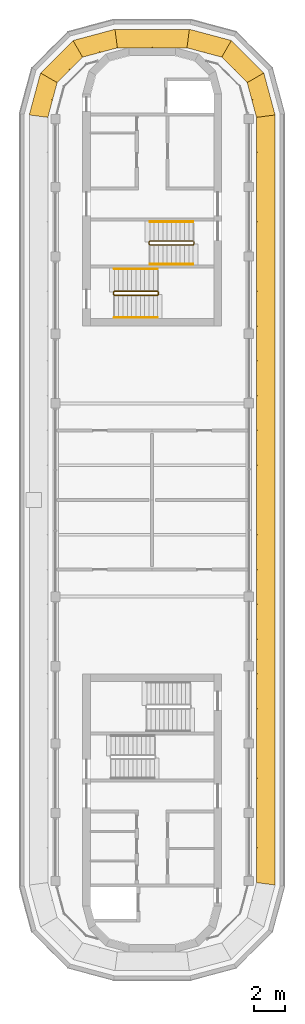
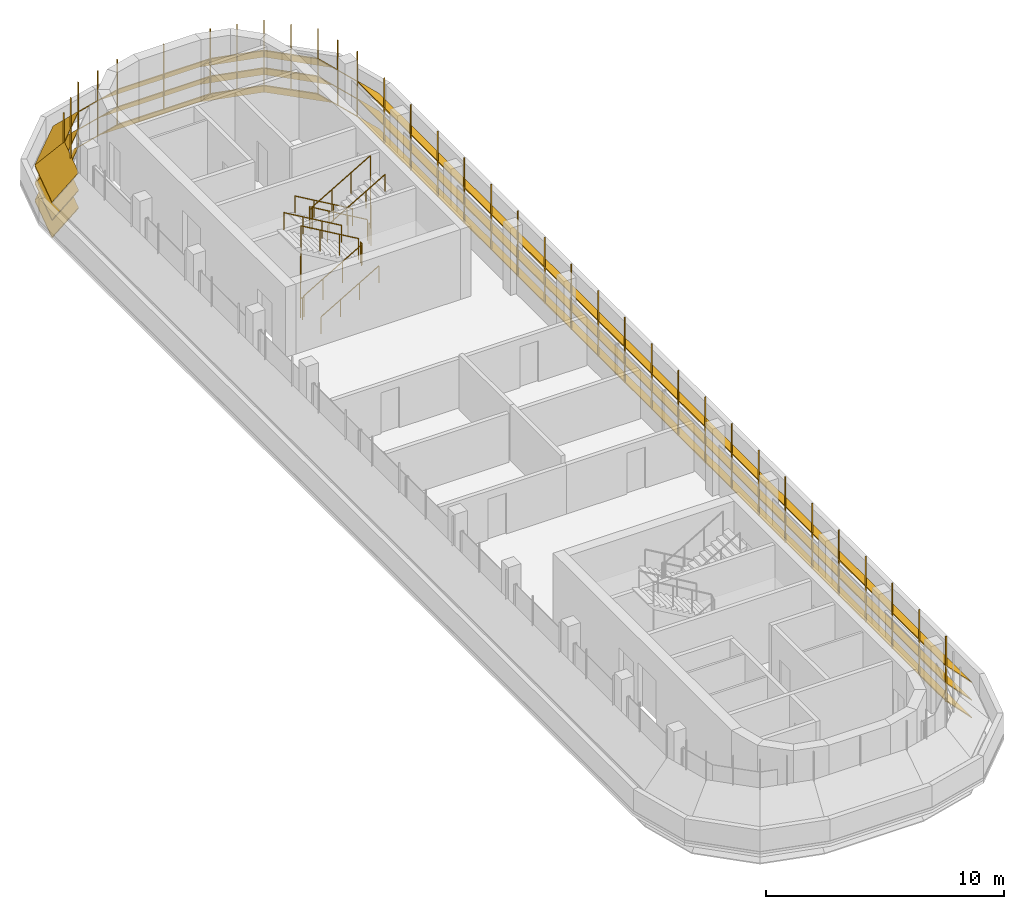
# One storey, part 12 of 12: 6 railings, 4 shading devices.
"""IFC4 building model written with IfcOpenShell, lengths in metres."""

from ifc_helpers import new_model, si_unit, direction, frame, origin, origin_2d, place, context, subcontext, project, spatial, polyline, circle, outline, extrude, faceted_brep, source, transform, mapped, material, type_object, element, save


model = new_model("IFC4")

# Units and contexts
model_context = context("Model", 3, precision=1e-05, world=origin(), true_north=direction((0.0, 1.0)))
body_context = subcontext(model_context, "Body", "Model", "MODEL_VIEW")
ifc_project = project(units=[si_unit("LENGTHUNIT", "METRE"), si_unit("AREAUNIT", "SQUARE_METRE"), si_unit("VOLUMEUNIT", "CUBIC_METRE"), si_unit("PLANEANGLEUNIT", "RADIAN"), si_unit("MASSUNIT", "GRAM", prefix="KILO")], contexts=[model_context])

# Site, building, storey
site_placement = place(None, origin())
site = spatial("IfcSite", under=ifc_project, at=site_placement, CompositionType="ELEMENT")
building_placement = place(site_placement, origin())
building = spatial("IfcBuilding", under=site, at=building_placement, Name="Zarbagh Exchange Tower", CompositionType="ELEMENT")
storey_placement = place(building_placement, frame((0.0, 0.0, 309.60009765625)))
storey = spatial("IfcBuildingStorey", under=building, at=storey_placement, Name="L76", CompositionType="ELEMENT", Elevation=309.60009765625)

# Railings
ifc_material_1 = material(Name="Stainless steel", Category="steel")
railing_type_1 = type_object("IfcRailingType", Name="Stair guard 1100 mm", PredefinedType="GUARDRAIL", material=ifc_material_1)
railing_1_placement = place(storey_placement, frame((2.64990234375, 16.75, 0.16357421875)))
element("IfcRailing", 1, at=railing_1_placement, inside=storey, type_object=railing_type_1, Name="ST1 stair guard 1", PredefinedType="GUARDRAIL", context=body_context, shape_type="SweptSolid", body=[
    extrude(circle(Radius=0.02392578125, at=origin_2d()), frame((0.0, 0.0, 1.076171875), z_axis=(-0.863374499697, 0.0, 0.504563646405), x_axis=(0.0, -1.0, 0.0)), (0.0, 0.0, 1.0), 3.242919921875),
    extrude(circle(Radius=0.02392578125, at=origin_2d()), frame((-2.7998046875, 0.0, 2.71240234375), z_axis=(-0.707106781187, -0.707106781187, 0.0), x_axis=(0.707106781187, -0.707106781187, 0.0)), (0.0, 0.0, 1.0), 0.07080078125),
    extrude(circle(Radius=0.02392578125, at=origin_2d()), frame((-2.849853515625, -0.050048828125, 2.71240234375), z_axis=(0.0, -1.0, 0.0), x_axis=(1.0, 0.0, 0.0)), (0.0, 0.0, 1.0), 0.14990234375),
    extrude(circle(Radius=0.02392578125, at=origin_2d()), frame((-2.849853515625, -0.199951171875, 2.71240234375), z_axis=(0.280456126637, -0.280456126637, 0.917980785237), x_axis=(0.707106781187, 0.707106781187, 0.0)), (0.0, 0.0, 1.0), 0.178466796875),
    extrude(circle(Radius=0.02392578125, at=origin_2d()), frame((-2.7998046875, -0.25, 2.8759765625), z_axis=(0.863374499697, 0.0, 0.504563646405), x_axis=(0.0, 1.0, 0.0)), (0.0, 0.0, 1.0), 3.242919921875),
    extrude(circle(Radius=0.02392578125, at=origin_2d()), frame((0.0, -0.25, 4.51220703125), z_axis=(0.013900331382, 0.013900331382, -0.999806762117), x_axis=(-0.707106781187, 0.707106781187, 0.0)), (0.0, 0.0, 1.0), 3.6005859375),
    extrude(circle(Radius=0.02392578125, at=origin_2d()), frame((0.050048828125, -0.199951171875, 0.91259765625), z_axis=(0.0, 1.0, 0.0), x_axis=(-1.0, 0.0, 0.0)), (0.0, 0.0, 1.0), 0.14990234375),
    extrude(circle(Radius=0.02099609375, at=origin_2d()), origin(), (0.0, 0.0, 1.0), 1.052001953125),
    extrude(circle(Radius=0.02099609375, at=origin_2d()), frame((-0.933349609375, 0.0, 0.54541015625)), (0.0, 0.0, 1.0), 1.052001953125),
    extrude(circle(Radius=0.02099609375, at=origin_2d()), frame((-1.866455078125, 0.0, 1.0908203125)), (0.0, 0.0, 1.0), 1.052001953125),
    extrude(circle(Radius=0.02099609375, at=origin_2d()), frame((-2.7998046875, 0.0, 1.63623046875)), (0.0, 0.0, 1.0), 1.052001953125),
    extrude(circle(Radius=0.02099609375, at=origin_2d()), frame((-2.849853515625, -0.050048828125, 1.63623046875)), (0.0, 0.0, 1.0), 1.052001953125),
    extrude(circle(Radius=0.02099609375, at=origin_2d()), frame((-2.849853515625, -0.199951171875, 1.63623046875)), (0.0, 0.0, 1.0), 1.052001953125),
    extrude(circle(Radius=0.02099609375, at=origin_2d()), frame((-2.7998046875, -0.25, 1.800048828125)), (0.0, 0.0, 1.0), 1.052001953125),
    extrude(circle(Radius=0.02099609375, at=origin_2d()), frame((-1.866455078125, -0.25, 2.345458984375)), (0.0, 0.0, 1.0), 1.052001953125),
    extrude(circle(Radius=0.02099609375, at=origin_2d()), frame((-0.933349609375, -0.25, 2.890869140625)), (0.0, 0.0, 1.0), 1.052001953125),
    extrude(circle(Radius=0.02099609375, at=origin_2d()), frame((0.0, -0.25, 3.436279296875)), (0.0, 0.0, 1.0), 1.052001953125),
    extrude(circle(Radius=0.02099609375, at=origin_2d()), frame((0.012451171875, -0.237548828125, 2.536376953125)), (0.0, 0.0, 1.0), 1.052001953125),
    extrude(circle(Radius=0.02099609375, at=origin_2d()), frame((0.02490234375, -0.22509765625, 1.63623046875)), (0.0, 0.0, 1.0), 1.052001953125),
    extrude(circle(Radius=0.02099609375, at=origin_2d()), frame((0.03759765625, -0.21240234375, 0.736328125)), (0.0, 0.0, 1.0), 1.052001953125),
    extrude(circle(Radius=0.02099609375, at=origin_2d()), frame((0.050048828125, -0.199951171875, -0.16357421875)), (0.0, 0.0, 1.0), 1.052001953125),
    extrude(circle(Radius=0.02099609375, at=origin_2d()), frame((0.050048828125, -0.050048828125, -0.16357421875)), (0.0, 0.0, 1.0), 1.052001953125),
])
railing_2_placement = place(storey_placement, frame((0.35009765625, 13.5, 1.963623046875)))
element("IfcRailing", 2, at=railing_2_placement, inside=storey, type_object=railing_type_1, Name="ST2 stair guard 1", PredefinedType="GUARDRAIL", context=body_context, shape_type="SweptSolid", body=[
    extrude(circle(Radius=0.02392578125, at=origin_2d()), frame((0.0, 0.0, 1.076171875), z_axis=(-0.863393664356, 0.0, 0.504530851732), x_axis=(0.0, -1.0, 0.0)), (0.0, 0.0, 1.0), 3.2431640625),
    extrude(circle(Radius=0.02392578125, at=origin_2d()), frame((-2.800048828125, 0.0, 2.71240234375), z_axis=(-0.013900331382, -0.013900331382, -0.999806762117), x_axis=(0.707106781187, -0.707106781187, 0.0)), (0.0, 0.0, 1.0), 3.6005859375),
    extrude(circle(Radius=0.02392578125, at=origin_2d()), frame((-2.85009765625, -0.050048828125, -0.8876953125), z_axis=(0.0, -1.0, 0.0), x_axis=(1.0, 0.0, 0.0)), (0.0, 0.0, 1.0), 0.14990234375),
    extrude(circle(Radius=0.02392578125, at=origin_2d()), frame((-2.85009765625, -0.199951171875, -0.8876953125), z_axis=(0.280808744504, -0.280808744504, 0.917765164963), x_axis=(0.707106781187, 0.707106781187, 0.0)), (0.0, 0.0, 1.0), 0.17822265625),
    extrude(circle(Radius=0.02392578125, at=origin_2d()), frame((-2.800048828125, -0.25, -0.72412109375), z_axis=(0.863393664356, 0.0, 0.504530851732), x_axis=(0.0, 1.0, 0.0)), (0.0, 0.0, 1.0), 3.2431640625),
    extrude(circle(Radius=0.02392578125, at=origin_2d()), frame((0.0, -0.25, 0.912109375), z_axis=(0.705375805398, 0.708833529934, 0.0), x_axis=(-0.708833529934, 0.705375805398, 0.0)), (0.0, 0.0, 1.0), 0.070556640625),
    extrude(circle(Radius=0.02392578125, at=origin_2d()), frame((0.0498046875, -0.199951171875, 0.912109375), z_axis=(0.0, 1.0, 0.0), x_axis=(-1.0, 0.0, 0.0)), (0.0, 0.0, 1.0), 0.14990234375),
    extrude(circle(Radius=0.02099609375, at=origin_2d()), origin(), (0.0, 0.0, 1.0), 1.052001953125),
    extrude(circle(Radius=0.02099609375, at=origin_2d()), frame((-0.933349609375, 0.0, 0.54541015625)), (0.0, 0.0, 1.0), 1.052001953125),
    extrude(circle(Radius=0.02099609375, at=origin_2d()), frame((-1.86669921875, 0.0, 1.0908203125)), (0.0, 0.0, 1.0), 1.052001953125),
    extrude(circle(Radius=0.02099609375, at=origin_2d()), frame((-2.800048828125, 0.0, 1.63623046875)), (0.0, 0.0, 1.0), 1.052001953125),
    extrude(circle(Radius=0.02099609375, at=origin_2d()), frame((-2.8125, -0.012451171875, 0.736328125)), (0.0, 0.0, 1.0), 1.052001953125),
    extrude(circle(Radius=0.02099609375, at=origin_2d()), frame((-2.8251953125, -0.02490234375, -0.16357421875)), (0.0, 0.0, 1.0), 1.052001953125),
    extrude(circle(Radius=0.02099609375, at=origin_2d()), frame((-2.837646484375, -0.03759765625, -1.063720703125)), (0.0, 0.0, 1.0), 1.052001953125),
    extrude(circle(Radius=0.02099609375, at=origin_2d()), frame((-2.85009765625, -0.050048828125, -1.963623046875)), (0.0, 0.0, 1.0), 1.052001953125),
    extrude(circle(Radius=0.02099609375, at=origin_2d()), frame((-2.85009765625, -0.199951171875, -1.963623046875)), (0.0, 0.0, 1.0), 1.052001953125),
    extrude(circle(Radius=0.02099609375, at=origin_2d()), frame((-2.800048828125, -0.25, -1.800048828125)), (0.0, 0.0, 1.0), 1.052001953125),
    extrude(circle(Radius=0.02099609375, at=origin_2d()), frame((-1.86669921875, -0.25, -1.254638671875)), (0.0, 0.0, 1.0), 1.052001953125),
    extrude(circle(Radius=0.02099609375, at=origin_2d()), frame((-0.933349609375, -0.25, -0.709228515625)), (0.0, 0.0, 1.0), 1.052001953125),
    extrude(circle(Radius=0.02099609375, at=origin_2d()), frame((0.0, -0.25, -0.163818359375)), (0.0, 0.0, 1.0), 1.052001953125),
    extrude(circle(Radius=0.02099609375, at=origin_2d()), frame((0.0498046875, -0.199951171875, -0.163818359375)), (0.0, 0.0, 1.0), 1.052001953125),
    extrude(circle(Radius=0.02099609375, at=origin_2d()), frame((0.0498046875, -0.050048828125, -0.163818359375)), (0.0, 0.0, 1.0), 1.052001953125),
])
railing_type_2 = type_object("IfcRailingType", Name="Stair handrail 900 mm", PredefinedType="HANDRAIL", material=ifc_material_1)
railing_3_placement = place(storey_placement, frame((2.64990234375, 18.0, 0.16357421875)))
element("IfcRailing", 3, at=railing_3_placement, inside=storey, type_object=railing_type_2, Name="ST1 stair handrail 1", PredefinedType="HANDRAIL", context=body_context, shape_type="SweptSolid", body=[
    extrude(circle(Radius=0.02392578125, at=origin_2d()), frame((0.0, 0.0, 0.8759765625), z_axis=(-0.863374499697, 0.0, 0.504563646405), x_axis=(0.0, -1.0, 0.0)), (0.0, 0.0, 1.0), 3.242919921875),
    extrude(circle(Radius=0.02099609375, at=origin_2d()), origin(), (0.0, 0.0, 1.0), 0.851806640625),
    extrude(circle(Radius=0.02099609375, at=origin_2d()), frame((-0.933349609375, 0.0, 0.54541015625)), (0.0, 0.0, 1.0), 0.851806640625),
    extrude(circle(Radius=0.02099609375, at=origin_2d()), frame((-1.866455078125, 0.0, 1.0908203125)), (0.0, 0.0, 1.0), 0.851806640625),
    extrude(circle(Radius=0.02099609375, at=origin_2d()), frame((-2.7998046875, 0.0, 1.63623046875)), (0.0, 0.0, 1.0), 0.851806640625),
])
railing_4_placement = place(storey_placement, frame((-0.14990234375, 15.25, 1.963623046875)))
element("IfcRailing", 4, at=railing_4_placement, inside=storey, type_object=railing_type_2, Name="ST1 stair handrail 2", PredefinedType="HANDRAIL", context=body_context, shape_type="SweptSolid", body=[
    extrude(circle(Radius=0.02392578125, at=origin_2d()), frame((0.0, 0.0, 0.8759765625), z_axis=(0.863374499697, 0.0, 0.504563646405), x_axis=(0.0, 1.0, 0.0)), (0.0, 0.0, 1.0), 3.242919921875),
    extrude(circle(Radius=0.02099609375, at=origin_2d()), origin(), (0.0, 0.0, 1.0), 0.851806640625),
    extrude(circle(Radius=0.02099609375, at=origin_2d()), frame((0.933349609375, 0.0, 0.54541015625)), (0.0, 0.0, 1.0), 0.851806640625),
    extrude(circle(Radius=0.02099609375, at=origin_2d()), frame((1.866455078125, 0.0, 1.0908203125)), (0.0, 0.0, 1.0), 0.851806640625),
    extrude(circle(Radius=0.02099609375, at=origin_2d()), frame((2.7998046875, 0.0, 1.63623046875)), (0.0, 0.0, 1.0), 0.851806640625),
])
railing_5_placement = place(storey_placement, frame((-2.449951171875, 11.800048828125, 0.16357421875)))
element("IfcRailing", 5, at=railing_5_placement, inside=storey, type_object=railing_type_2, Name="ST2 stair handrail 1", PredefinedType="HANDRAIL", context=body_context, shape_type="SweptSolid", body=[
    extrude(circle(Radius=0.02392578125, at=origin_2d()), frame((0.0, 0.0, 0.8759765625), z_axis=(0.863393664356, 0.0, 0.504530851732), x_axis=(0.0, 1.0, 0.0)), (0.0, 0.0, 1.0), 3.2431640625),
    extrude(circle(Radius=0.02099609375, at=origin_2d()), origin(), (0.0, 0.0, 1.0), 0.851806640625),
    extrude(circle(Radius=0.02099609375, at=origin_2d()), frame((0.933349609375, 0.0, 0.54541015625)), (0.0, 0.0, 1.0), 0.851806640625),
    extrude(circle(Radius=0.02099609375, at=origin_2d()), frame((1.86669921875, 0.0, 1.0908203125)), (0.0, 0.0, 1.0), 0.851806640625),
    extrude(circle(Radius=0.02099609375, at=origin_2d()), frame((2.800048828125, 0.0, 1.63623046875)), (0.0, 0.0, 1.0), 0.851806640625),
])
railing_6_placement = place(storey_placement, frame((0.35009765625, 14.949951171875, 1.963623046875)))
element("IfcRailing", 6, at=railing_6_placement, inside=storey, type_object=railing_type_2, Name="ST2 stair handrail 2", PredefinedType="HANDRAIL", context=body_context, shape_type="SweptSolid", body=[
    extrude(circle(Radius=0.02392578125, at=origin_2d()), frame((0.0, 0.0, 0.8759765625), z_axis=(-0.863393664356, 0.0, 0.504530851732), x_axis=(0.0, -1.0, 0.0)), (0.0, 0.0, 1.0), 3.2431640625),
    extrude(circle(Radius=0.02099609375, at=origin_2d()), origin(), (0.0, 0.0, 1.0), 0.851806640625),
    extrude(circle(Radius=0.02099609375, at=origin_2d()), frame((-0.933349609375, 0.0, 0.54541015625)), (0.0, 0.0, 1.0), 0.851806640625),
    extrude(circle(Radius=0.02099609375, at=origin_2d()), frame((-1.86669921875, 0.0, 1.0908203125)), (0.0, 0.0, 1.0), 0.851806640625),
    extrude(circle(Radius=0.02099609375, at=origin_2d()), frame((-2.800048828125, 0.0, 1.63623046875)), (0.0, 0.0, 1.0), 0.851806640625),
])

# Shading devices
ifc_material_2 = material(Name="Anodised aluminium blades and brackets", Category="aluminium")
shading_device_type = type_object("IfcShadingDeviceType", Name="SUNSHADE louvre band, 45 degree blades", PredefinedType="JALOUSIE", material=ifc_material_2)
shared_shape_1 = source(origin(), body_context, "Body", "Brep", [
    faceted_brep([(0.0, 0.0, 0.0), (0.0, 0.0, -0.056640625), (-0.157958984375, -1.199951171875, -1.256591796875), (-0.157958984375, -1.199951171875, -1.199951171875), (2.65087890625, -1.199951171875, -1.199951171875), (2.65087890625, -1.199951171875, -1.256591796875), (2.329345703125, 0.0, -0.056640625), (2.329345703125, 0.0, 0.0)], [[[0, 1, 2, 3]], [[4, 5, 6, 7]], [[0, 7, 6, 1]], [[1, 6, 5, 2]], [[2, 5, 4, 3]], [[3, 4, 7, 0]]]),
])
shared_shape_2 = source(origin(), body_context, "Body", "Brep", [
    faceted_brep([(0.0, 0.0, 0.0), (0.0, 0.0, -0.056640625), (-0.321533203125, -1.199951171875, -1.256591796875), (-0.321533203125, -1.199951171875, -1.199951171875), (2.65087890625, -1.199951171875, -1.199951171875), (2.65087890625, -1.199951171875, -1.256591796875), (2.329345703125, 0.0, -0.056640625), (2.329345703125, 0.0, 0.0)], [[[0, 1, 2, 3]], [[4, 5, 6, 7]], [[0, 7, 6, 1]], [[1, 6, 5, 2]], [[2, 5, 4, 3]], [[3, 4, 7, 0]]]),
])
shared_shape_3 = source(origin(), body_context, "Body", "Brep", [
    faceted_brep([(0.0, 0.0, 0.0), (0.0, 0.0, -0.056640625), (-0.321533203125, -1.199951171875, -1.256591796875), (-0.321533203125, -1.199951171875, -1.199951171875), (2.4873046875, -1.199951171875, -1.199951171875), (2.4873046875, -1.199951171875, -1.256591796875), (2.329345703125, 0.0, -0.056640625), (2.329345703125, 0.0, 0.0)], [[[0, 1, 2, 3]], [[4, 5, 6, 7]], [[0, 7, 6, 1]], [[1, 6, 5, 2]], [[2, 5, 4, 3]], [[3, 4, 7, 0]]]),
])
shared_shape_4 = source(origin(), body_context, "Body", "SweptSolid", [
    extrude(outline(polyline([(0.0, -0.012451171875), (0.06005859375, -0.012451171875), (0.06005859375, 0.012451171875), (0.0, 0.012451171875), (0.0, -0.012451171875)])), origin(), (0.0, 0.0, 1.0), 3.366455078125),
])
placement = place(storey_placement, origin())
element("IfcShadingDevice", 7, at=placement, inside=storey, type_object=shading_device_type, Name="SS46 sunshade band", PredefinedType="JALOUSIE", context=body_context, shape_type="MappedRepresentation", body=[
    mapped(shared_shape_1, transform((6.75, 24.75, 2.099853515625), x_axis=(-0.258824779902, 0.965924289636, 0.0), y_axis=(-0.965924289636, -0.258824779902, 0.0), z_axis=(0.0, 0.0, 1.0))),
    mapped(shared_shape_1, transform((6.75, 24.75, 1.199951171875), x_axis=(-0.258824779902, 0.965924289636, 0.0), y_axis=(-0.965924289636, -0.258824779902, 0.0), z_axis=(0.0, 0.0, 1.0))),
    mapped(shared_shape_1, transform((6.75, 24.75, 0.2998046875), x_axis=(-0.258824779902, 0.965924289636, 0.0), y_axis=(-0.965924289636, -0.258824779902, 0.0), z_axis=(0.0, 0.0, 1.0))),
    mapped(shared_shape_2, transform((6.147216796875, 27.0, 2.099853515625), x_axis=(-0.707106781187, 0.707106781187, 0.0), y_axis=(-0.707106781187, -0.707106781187, 0.0), z_axis=(0.0, 0.0, 1.0))),
    mapped(shared_shape_2, transform((6.147216796875, 27.0, 1.199951171875), x_axis=(-0.707106781187, 0.707106781187, 0.0), y_axis=(-0.707106781187, -0.707106781187, 0.0), z_axis=(0.0, 0.0, 1.0))),
    mapped(shared_shape_2, transform((6.147216796875, 27.0, 0.2998046875), x_axis=(-0.707106781187, 0.707106781187, 0.0), y_axis=(-0.707106781187, -0.707106781187, 0.0), z_axis=(0.0, 0.0, 1.0))),
    mapped(shared_shape_3, transform((4.5, 28.647216796875, 2.099853515625), x_axis=(-0.965924289636, 0.258824779902, 0.0), y_axis=(-0.258824779902, -0.965924289636, 0.0), z_axis=(0.0, 0.0, 1.0))),
    mapped(shared_shape_3, transform((4.5, 28.647216796875, 1.199951171875), x_axis=(-0.965924289636, 0.258824779902, 0.0), y_axis=(-0.258824779902, -0.965924289636, 0.0), z_axis=(0.0, 0.0, 1.0))),
    mapped(shared_shape_3, transform((4.5, 28.647216796875, 0.2998046875), x_axis=(-0.965924289636, 0.258824779902, 0.0), y_axis=(-0.258824779902, -0.965924289636, 0.0), z_axis=(0.0, 0.0, 1.0))),
    mapped(shared_shape_4, transform((6.75, 24.75, 0.21337890625), x_axis=(0.991444457092, 0.130529263012, 0.0), y_axis=(-0.130529263012, 0.991444457092, 0.0), z_axis=(0.0, 0.0, 1.0))),
    mapped(shared_shape_4, transform((6.448486328125, 25.875, 0.21337890625), x_axis=(0.96592421511, 0.258825058029, 0.0), y_axis=(-0.258825058029, 0.96592421511, 0.0), z_axis=(0.0, 0.0, 1.0))),
    mapped(shared_shape_4, transform((6.147216796875, 27.0, 0.21337890625), x_axis=(0.866023812018, 0.50000275701, 0.0), y_axis=(-0.50000275701, 0.866023812018, 0.0), z_axis=(0.0, 0.0, 1.0))),
    mapped(shared_shape_4, transform((5.323486328125, 27.823486328125, 0.21337890625), x_axis=(0.707106781187, 0.707106781187, 0.0), y_axis=(-0.707106781187, 0.707106781187, 0.0), z_axis=(0.0, 0.0, 1.0))),
    mapped(shared_shape_4, transform((4.5, 28.647216796875, 0.21337890625), x_axis=(0.50000275701, 0.866023812018, 0.0), y_axis=(-0.866023812018, 0.50000275701, 0.0), z_axis=(0.0, 0.0, 1.0))),
    mapped(shared_shape_4, transform((3.375, 28.948486328125, 0.21337890625), x_axis=(0.258825058029, 0.96592421511, 0.0), y_axis=(-0.96592421511, 0.258825058029, 0.0), z_axis=(0.0, 0.0, 1.0))),
])
element("IfcShadingDevice", 8, at=placement, inside=storey, type_object=shading_device_type, Name="SS48 sunshade band", PredefinedType="JALOUSIE", context=body_context, shape_type="MappedRepresentation", body=[
    mapped(shared_shape_1, transform((-2.25, 29.25, 2.099853515625), x_axis=(-0.965924289636, -0.258824779902, 0.0), y_axis=(0.258824779902, -0.965924289636, 0.0), z_axis=(0.0, 0.0, 1.0))),
    mapped(shared_shape_1, transform((-2.25, 29.25, 1.199951171875), x_axis=(-0.965924289636, -0.258824779902, 0.0), y_axis=(0.258824779902, -0.965924289636, 0.0), z_axis=(0.0, 0.0, 1.0))),
    mapped(shared_shape_1, transform((-2.25, 29.25, 0.2998046875), x_axis=(-0.965924289636, -0.258824779902, 0.0), y_axis=(0.258824779902, -0.965924289636, 0.0), z_axis=(0.0, 0.0, 1.0))),
    mapped(shared_shape_2, transform((-4.5, 28.647216796875, 2.099853515625), x_axis=(-0.707106781187, -0.707106781187, 0.0), y_axis=(0.707106781187, -0.707106781187, 0.0), z_axis=(0.0, 0.0, 1.0))),
    mapped(shared_shape_2, transform((-4.5, 28.647216796875, 1.199951171875), x_axis=(-0.707106781187, -0.707106781187, 0.0), y_axis=(0.707106781187, -0.707106781187, 0.0), z_axis=(0.0, 0.0, 1.0))),
    mapped(shared_shape_2, transform((-4.5, 28.647216796875, 0.2998046875), x_axis=(-0.707106781187, -0.707106781187, 0.0), y_axis=(0.707106781187, -0.707106781187, 0.0), z_axis=(0.0, 0.0, 1.0))),
    mapped(shared_shape_3, transform((-6.147216796875, 27.0, 2.099853515625), x_axis=(-0.258824779902, -0.965924289636, 0.0), y_axis=(0.965924289636, -0.258824779902, 0.0), z_axis=(0.0, 0.0, 1.0))),
    mapped(shared_shape_3, transform((-6.147216796875, 27.0, 1.199951171875), x_axis=(-0.258824779902, -0.965924289636, 0.0), y_axis=(0.965924289636, -0.258824779902, 0.0), z_axis=(0.0, 0.0, 1.0))),
    mapped(shared_shape_3, transform((-6.147216796875, 27.0, 0.2998046875), x_axis=(-0.258824779902, -0.965924289636, 0.0), y_axis=(0.965924289636, -0.258824779902, 0.0), z_axis=(0.0, 0.0, 1.0))),
    mapped(shared_shape_4, transform((-2.25, 29.25, 0.21337890625), x_axis=(-0.130529263012, 0.991444457092, 0.0), y_axis=(-0.991444457092, -0.130529263012, 0.0), z_axis=(0.0, 0.0, 1.0))),
    mapped(shared_shape_4, transform((-3.375, 28.948486328125, 0.21337890625), x_axis=(-0.258825058029, 0.96592421511, 0.0), y_axis=(-0.96592421511, -0.258825058029, 0.0), z_axis=(0.0, 0.0, 1.0))),
    mapped(shared_shape_4, transform((-4.5, 28.647216796875, 0.21337890625), x_axis=(-0.50000275701, 0.866023812018, 0.0), y_axis=(-0.866023812018, -0.50000275701, 0.0), z_axis=(0.0, 0.0, 1.0))),
    mapped(shared_shape_4, transform((-5.323486328125, 27.823486328125, 0.21337890625), x_axis=(-0.707106781187, 0.707106781187, 0.0), y_axis=(-0.707106781187, -0.707106781187, 0.0), z_axis=(0.0, 0.0, 1.0))),
    mapped(shared_shape_4, transform((-6.147216796875, 27.0, 0.21337890625), x_axis=(-0.866023812018, 0.50000275701, 0.0), y_axis=(-0.50000275701, -0.866023812018, 0.0), z_axis=(0.0, 0.0, 1.0))),
    mapped(shared_shape_4, transform((-6.448486328125, 25.875, 0.21337890625), x_axis=(-0.96592421511, 0.258825058029, 0.0), y_axis=(-0.258825058029, -0.96592421511, 0.0), z_axis=(0.0, 0.0, 1.0))),
])
shared_shape_5 = source(origin(), body_context, "Body", "Brep", [
    faceted_brep([(0.0, 0.0, 0.0), (0.0, 0.0, -0.056640625), (-0.157958984375, -1.199951171875, -1.256591796875), (-0.157958984375, -1.199951171875, -1.199951171875), (49.657958984375, -1.199951171875, -1.199951171875), (49.657958984375, -1.199951171875, -1.256591796875), (49.5, 0.0, -0.056640625), (49.5, 0.0, 0.0)], [[[0, 1, 2, 3]], [[4, 5, 6, 7]], [[0, 7, 6, 1]], [[1, 6, 5, 2]], [[2, 5, 4, 3]], [[3, 4, 7, 0]]]),
])
element("IfcShadingDevice", 9, at=placement, inside=storey, type_object=shading_device_type, Name="SS72 sunshade band", PredefinedType="JALOUSIE", context=body_context, shape_type="MappedRepresentation", body=[
    mapped(shared_shape_5, transform((6.75, -24.75, 2.099853515625), x_axis=(0.0, 1.0, 0.0), y_axis=(-1.0, 0.0, 0.0), z_axis=(0.0, 0.0, 1.0))),
    mapped(shared_shape_5, transform((6.75, -24.75, 1.199951171875), x_axis=(0.0, 1.0, 0.0), y_axis=(-1.0, 0.0, 0.0), z_axis=(0.0, 0.0, 1.0))),
    mapped(shared_shape_5, transform((6.75, -24.75, 0.2998046875), x_axis=(0.0, 1.0, 0.0), y_axis=(-1.0, 0.0, 0.0), z_axis=(0.0, 0.0, 1.0))),
    mapped(shared_shape_4, transform((6.75, -24.75, 0.21337890625), x_axis=(0.991444457092, -0.130529263012, 0.0), y_axis=(0.130529263012, 0.991444457092, 0.0), z_axis=(0.0, 0.0, 1.0))),
    mapped(shared_shape_4, transform((6.75, -22.5, 0.21337890625), x_axis=(1.0, 0.0, 0.0), y_axis=(0.0, 1.0, 0.0), z_axis=(0.0, 0.0, 1.0))),
    mapped(shared_shape_4, transform((6.75, -20.25, 0.21337890625), x_axis=(1.0, 0.0, 0.0), y_axis=(0.0, 1.0, 0.0), z_axis=(0.0, 0.0, 1.0))),
    mapped(shared_shape_4, transform((6.75, -18.0, 0.21337890625), x_axis=(1.0, 0.0, 0.0), y_axis=(0.0, 1.0, 0.0), z_axis=(0.0, 0.0, 1.0))),
    mapped(shared_shape_4, transform((6.75, -15.75, 0.21337890625), x_axis=(1.0, 0.0, 0.0), y_axis=(0.0, 1.0, 0.0), z_axis=(0.0, 0.0, 1.0))),
    mapped(shared_shape_4, transform((6.75, -13.5, 0.21337890625), x_axis=(1.0, 0.0, 0.0), y_axis=(0.0, 1.0, 0.0), z_axis=(0.0, 0.0, 1.0))),
    mapped(shared_shape_4, transform((6.75, -11.25, 0.21337890625), x_axis=(1.0, 0.0, 0.0), y_axis=(0.0, 1.0, 0.0), z_axis=(0.0, 0.0, 1.0))),
    mapped(shared_shape_4, transform((6.75, -9.0, 0.21337890625), x_axis=(1.0, 0.0, 0.0), y_axis=(0.0, 1.0, 0.0), z_axis=(0.0, 0.0, 1.0))),
    mapped(shared_shape_4, transform((6.75, -6.75, 0.21337890625), x_axis=(1.0, 0.0, 0.0), y_axis=(0.0, 1.0, 0.0), z_axis=(0.0, 0.0, 1.0))),
    mapped(shared_shape_4, transform((6.75, -4.5, 0.21337890625), x_axis=(1.0, 0.0, 0.0), y_axis=(0.0, 1.0, 0.0), z_axis=(0.0, 0.0, 1.0))),
    mapped(shared_shape_4, transform((6.75, -2.25, 0.21337890625), x_axis=(1.0, 0.0, 0.0), y_axis=(0.0, 1.0, 0.0), z_axis=(0.0, 0.0, 1.0))),
    mapped(shared_shape_4, transform((6.75, 0.0, 0.21337890625), x_axis=(1.0, 0.0, 0.0), y_axis=(0.0, 1.0, 0.0), z_axis=(0.0, 0.0, 1.0))),
    mapped(shared_shape_4, transform((6.75, 2.25, 0.21337890625), x_axis=(1.0, 0.0, 0.0), y_axis=(0.0, 1.0, 0.0), z_axis=(0.0, 0.0, 1.0))),
    mapped(shared_shape_4, transform((6.75, 4.5, 0.21337890625), x_axis=(1.0, 0.0, 0.0), y_axis=(0.0, 1.0, 0.0), z_axis=(0.0, 0.0, 1.0))),
    mapped(shared_shape_4, transform((6.75, 6.75, 0.21337890625), x_axis=(1.0, 0.0, 0.0), y_axis=(0.0, 1.0, 0.0), z_axis=(0.0, 0.0, 1.0))),
    mapped(shared_shape_4, transform((6.75, 9.0, 0.21337890625), x_axis=(1.0, 0.0, 0.0), y_axis=(0.0, 1.0, 0.0), z_axis=(0.0, 0.0, 1.0))),
    mapped(shared_shape_4, transform((6.75, 11.25, 0.21337890625), x_axis=(1.0, 0.0, 0.0), y_axis=(0.0, 1.0, 0.0), z_axis=(0.0, 0.0, 1.0))),
    mapped(shared_shape_4, transform((6.75, 13.5, 0.21337890625), x_axis=(1.0, 0.0, 0.0), y_axis=(0.0, 1.0, 0.0), z_axis=(0.0, 0.0, 1.0))),
    mapped(shared_shape_4, transform((6.75, 15.75, 0.21337890625), x_axis=(1.0, 0.0, 0.0), y_axis=(0.0, 1.0, 0.0), z_axis=(0.0, 0.0, 1.0))),
    mapped(shared_shape_4, transform((6.75, 18.0, 0.21337890625), x_axis=(1.0, 0.0, 0.0), y_axis=(0.0, 1.0, 0.0), z_axis=(0.0, 0.0, 1.0))),
    mapped(shared_shape_4, transform((6.75, 20.25, 0.21337890625), x_axis=(1.0, 0.0, 0.0), y_axis=(0.0, 1.0, 0.0), z_axis=(0.0, 0.0, 1.0))),
    mapped(shared_shape_4, transform((6.75, 22.5, 0.21337890625), x_axis=(1.0, 0.0, 0.0), y_axis=(0.0, 1.0, 0.0), z_axis=(0.0, 0.0, 1.0))),
])
shared_shape_6 = source(origin(), body_context, "Body", "Brep", [
    faceted_brep([(0.0, 0.0, 0.0), (0.0, 0.0, -0.056640625), (-0.157958984375, -1.199951171875, -1.256591796875), (-0.157958984375, -1.199951171875, -1.199951171875), (4.657958984375, -1.199951171875, -1.199951171875), (4.657958984375, -1.199951171875, -1.256591796875), (4.5, 0.0, -0.056640625), (4.5, 0.0, 0.0)], [[[0, 1, 2, 3]], [[4, 5, 6, 7]], [[0, 7, 6, 1]], [[1, 6, 5, 2]], [[2, 5, 4, 3]], [[3, 4, 7, 0]]]),
])
element("IfcShadingDevice", 10, at=placement, inside=storey, type_object=shading_device_type, Name="SS47 sunshade band", PredefinedType="JALOUSIE", context=body_context, shape_type="MappedRepresentation", body=[
    mapped(shared_shape_6, transform((2.25, 29.25, 2.099853515625), x_axis=(-1.0, 0.0, 0.0), y_axis=(0.0, -1.0, 0.0), z_axis=(0.0, 0.0, 1.0))),
    mapped(shared_shape_6, transform((2.25, 29.25, 1.199951171875), x_axis=(-1.0, 0.0, 0.0), y_axis=(0.0, -1.0, 0.0), z_axis=(0.0, 0.0, 1.0))),
    mapped(shared_shape_6, transform((2.25, 29.25, 0.2998046875), x_axis=(-1.0, 0.0, 0.0), y_axis=(0.0, -1.0, 0.0), z_axis=(0.0, 0.0, 1.0))),
    mapped(shared_shape_4, transform((2.25, 29.25, 0.21337890625), x_axis=(0.130529263012, 0.991444457092, 0.0), y_axis=(-0.991444457092, 0.130529263012, 0.0), z_axis=(0.0, 0.0, 1.0))),
    mapped(shared_shape_4, transform((0.0, 29.25, 0.21337890625), x_axis=(0.0, 1.0, 0.0), y_axis=(-1.0, 0.0, 0.0), z_axis=(0.0, 0.0, 1.0))),
])

save(model, "model.ifc")
